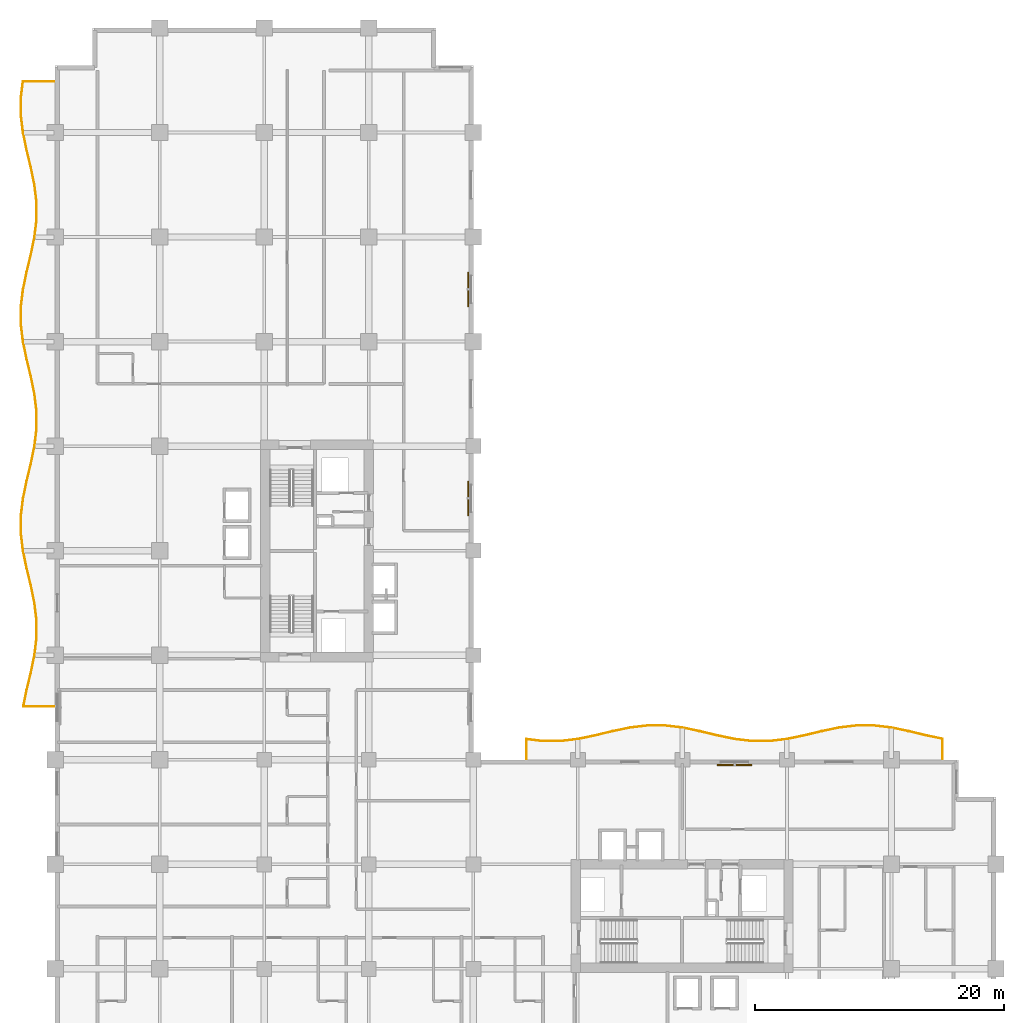
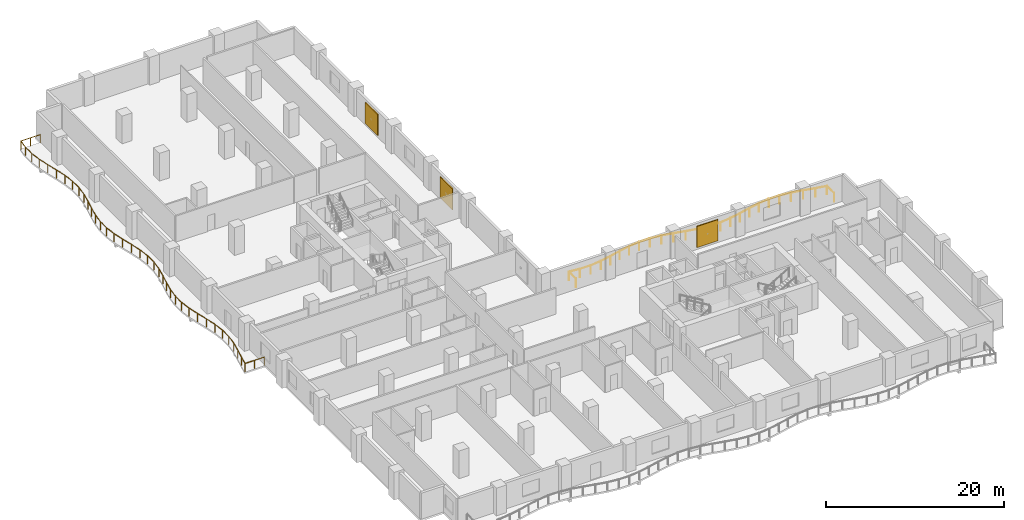
# One storey, part 18 of 18: 3 shading devices, 2 railings.
"""IFC4 building model written with IfcOpenShell, lengths in metres."""

from ifc_helpers import new_model, si_unit, direction, frame, origin, origin_2d, place, context, subcontext, project, spatial, rectangle, circle, extrude, material, layer, layer_set, type_object, element, save


model = new_model("IFC4")

# Units and contexts
model_context = context("Model", 3, precision=1e-05, world=origin(), true_north=direction((0.0, 1.0)))
body_context = subcontext(model_context, "Body", "Model", "MODEL_VIEW")
ifc_project = project(units=[si_unit("LENGTHUNIT", "METRE"), si_unit("AREAUNIT", "SQUARE_METRE"), si_unit("VOLUMEUNIT", "CUBIC_METRE"), si_unit("PLANEANGLEUNIT", "RADIAN"), si_unit("MASSUNIT", "GRAM", prefix="KILO")], contexts=[model_context])

# Site, building, storey
site_placement = place(None, origin())
site = spatial("IfcSite", under=ifc_project, at=site_placement, CompositionType="ELEMENT")
building_placement = place(site_placement, origin())
building = spatial("IfcBuilding", under=site, at=building_placement, Name="Koriwani Terraces Tower", CompositionType="ELEMENT")
storey_placement = place(building_placement, frame((0.0, 0.0, 115.199951171875)))
storey = spatial("IfcBuildingStorey", under=building, at=storey_placement, Name="L27", CompositionType="ELEMENT", Elevation=115.199951171875)

# Railings
ifc_material_1 = material(Name="Steel ASTM A572 Grade 50", Category="steel")
railing_type = type_object("IfcRailingType", Name="GUARD_BALUSTRADE_1150", PredefinedType="BALUSTRADE", material=ifc_material_1)
railing_1_placement = place(storey_placement, frame((-0.080078125, 37.8798828125, 0.0)))
element("IfcRailing", 1, at=railing_1_placement, inside=storey, type_object=railing_type, Name="L27 Balcony Perimeter Safety Balustrade (W)", PredefinedType="BALUSTRADE", context=body_context, shape_type="SweptSolid", body=[
    extrude(circle(Radius=0.02392578125, at=origin_2d()), frame((0.0, 0.0, 1.1259765625), z_axis=(-1.0, 0.0, 0.0), x_axis=(0.0, -1.0, 0.0)), (0.0, 0.0, 1.0), 2.481201171875),
    extrude(circle(Radius=0.02392578125, at=origin_2d()), frame((-2.481201171875, 0.0, 1.1259765625), z_axis=(0.203837026158, 0.979004834905, 0.0), x_axis=(-0.979004834905, 0.203837026158, 0.0)), (0.0, 0.0, 1.0), 1.33056640625),
    extrude(circle(Radius=0.02392578125, at=origin_2d()), frame((-2.2099609375, 1.302734375, 1.1259765625), z_axis=(0.233667958249, 0.972316453264, 0.0), x_axis=(-0.972316453264, 0.233667958249, 0.0)), (0.0, 0.0, 1.0), 1.439697265625),
    extrude(circle(Radius=0.02392578125, at=origin_2d()), frame((-1.87353515625, 2.70263671875, 1.1259765625), z_axis=(0.203539678581, 0.979066698056, 0.0), x_axis=(-0.979066698056, 0.203539678581, 0.0)), (0.0, 0.0, 1.0), 1.4345703125),
    extrude(circle(Radius=0.02392578125, at=origin_2d()), frame((-1.58154296875, 4.107177734375, 1.1259765625), z_axis=(0.119287758056, 0.992859723616, 0.0), x_axis=(-0.992859723616, 0.119287758056, 0.0)), (0.0, 0.0, 1.0), 1.418212890625),
    extrude(circle(Radius=0.02392578125, at=origin_2d()), frame((-1.412353515625, 5.515380859375, 1.1259765625), z_axis=(0.0, 1.0, 0.0), x_axis=(-1.0, 0.0, 0.0)), (0.0, 0.0, 1.0), 1.409423828125),
    extrude(circle(Radius=0.02392578125, at=origin_2d()), frame((-1.412353515625, 6.9248046875, 1.1259765625), z_axis=(-0.119287758056, 0.992859723616, 0.0), x_axis=(-0.992859723616, -0.119287758056, 0.0)), (0.0, 0.0, 1.0), 1.418212890625),
    extrude(circle(Radius=0.02392578125, at=origin_2d()), frame((-1.58154296875, 8.3330078125, 1.1259765625), z_axis=(-0.203539678581, 0.979066698056, 0.0), x_axis=(-0.979066698056, -0.203539678581, 0.0)), (0.0, 0.0, 1.0), 1.4345703125),
    extrude(circle(Radius=0.02392578125, at=origin_2d()), frame((-1.87353515625, 9.737548828125, 1.1259765625), z_axis=(-0.233629438166, 0.972325709638, 0.0), x_axis=(-0.972325709638, -0.233629438166, 0.0)), (0.0, 0.0, 1.0), 1.43994140625),
    extrude(circle(Radius=0.02392578125, at=origin_2d()), frame((-2.2099609375, 11.1376953125, 1.1259765625), z_axis=(-0.20385164167, 0.979001791719, 0.0), x_axis=(-0.979001791719, -0.20385164167, 0.0)), (0.0, 0.0, 1.0), 1.42529296875),
    extrude(circle(Radius=0.02392578125, at=origin_2d()), frame((-2.50048828125, 12.532958984375, 1.1259765625), z_axis=(-0.119296300234, 0.992858697273, 0.0), x_axis=(-0.992858697273, -0.119296300234, 0.0)), (0.0, 0.0, 1.0), 1.40185546875),
    extrude(circle(Radius=0.02392578125, at=origin_2d()), frame((-2.667724609375, 13.9248046875, 1.1259765625), z_axis=(0.0, 1.0, 0.0), x_axis=(-1.0, 0.0, 0.0)), (0.0, 0.0, 1.0), 1.390625),
    extrude(circle(Radius=0.02392578125, at=origin_2d()), frame((-2.667724609375, 15.3154296875, 1.1259765625), z_axis=(0.119296300234, 0.992858697273, 0.0), x_axis=(-0.992858697273, 0.119296300234, 0.0)), (0.0, 0.0, 1.0), 1.40185546875),
    extrude(circle(Radius=0.02392578125, at=origin_2d()), frame((-2.50048828125, 16.707275390625, 1.1259765625), z_axis=(0.20385164167, 0.979001791719, 0.0), x_axis=(-0.979001791719, 0.20385164167, 0.0)), (0.0, 0.0, 1.0), 1.42529296875),
    extrude(circle(Radius=0.02392578125, at=origin_2d()), frame((-2.2099609375, 18.1025390625, 1.1259765625), z_axis=(0.233629438166, 0.972325709638, 0.0), x_axis=(-0.972325709638, 0.233629438166, 0.0)), (0.0, 0.0, 1.0), 1.43994140625),
    extrude(circle(Radius=0.02392578125, at=origin_2d()), frame((-1.87353515625, 19.502685546875, 1.1259765625), z_axis=(0.203539678581, 0.979066698056, 0.0), x_axis=(-0.979066698056, 0.203539678581, 0.0)), (0.0, 0.0, 1.0), 1.4345703125),
    extrude(circle(Radius=0.02392578125, at=origin_2d()), frame((-1.58154296875, 20.9072265625, 1.1259765625), z_axis=(0.119287758056, 0.992859723616, 0.0), x_axis=(-0.992859723616, 0.119287758056, 0.0)), (0.0, 0.0, 1.0), 1.418212890625),
    extrude(circle(Radius=0.02392578125, at=origin_2d()), frame((-1.412353515625, 22.3154296875, 1.1259765625), z_axis=(0.0, 1.0, 0.0), x_axis=(-1.0, 0.0, 0.0)), (0.0, 0.0, 1.0), 1.409423828125),
    extrude(circle(Radius=0.02392578125, at=origin_2d()), frame((-1.412353515625, 23.724853515625, 1.1259765625), z_axis=(-0.119287758056, 0.992859723616, 0.0), x_axis=(-0.992859723616, -0.119287758056, 0.0)), (0.0, 0.0, 1.0), 1.418212890625),
    extrude(circle(Radius=0.02392578125, at=origin_2d()), frame((-1.58154296875, 25.133056640625, 1.1259765625), z_axis=(-0.203539678581, 0.979066698056, 0.0), x_axis=(-0.979066698056, -0.203539678581, 0.0)), (0.0, 0.0, 1.0), 1.4345703125),
    extrude(circle(Radius=0.02392578125, at=origin_2d()), frame((-1.87353515625, 26.53759765625, 1.1259765625), z_axis=(-0.233667958249, 0.972316453264, 0.0), x_axis=(-0.972316453264, -0.233667958249, 0.0)), (0.0, 0.0, 1.0), 1.439697265625),
    extrude(circle(Radius=0.02392578125, at=origin_2d()), frame((-2.2099609375, 27.9375, 1.1259765625), z_axis=(-0.203817459967, 0.979008908546, 0.0), x_axis=(-0.979008908546, -0.203817459967, 0.0)), (0.0, 0.0, 1.0), 1.425537109375),
    extrude(circle(Radius=0.02392578125, at=origin_2d()), frame((-2.50048828125, 29.3330078125, 1.1259765625), z_axis=(-0.119296300234, 0.992858697273, 0.0), x_axis=(-0.992858697273, -0.119296300234, 0.0)), (0.0, 0.0, 1.0), 1.40185546875),
    extrude(circle(Radius=0.02392578125, at=origin_2d()), frame((-2.667724609375, 30.724853515625, 1.1259765625), z_axis=(0.0, 1.0, 0.0), x_axis=(-1.0, 0.0, 0.0)), (0.0, 0.0, 1.0), 1.390380859375),
    extrude(circle(Radius=0.02392578125, at=origin_2d()), frame((-2.667724609375, 32.115234375, 1.1259765625), z_axis=(0.119275676073, 0.992861175138, 0.0), x_axis=(-0.992861175138, 0.119275676073, 0.0)), (0.0, 0.0, 1.0), 1.402099609375),
    extrude(circle(Radius=0.02392578125, at=origin_2d()), frame((-2.50048828125, 33.50732421875, 1.1259765625), z_axis=(0.20385164167, 0.979001791719, 0.0), x_axis=(-0.979001791719, 0.20385164167, 0.0)), (0.0, 0.0, 1.0), 1.42529296875),
    extrude(circle(Radius=0.02392578125, at=origin_2d()), frame((-2.2099609375, 34.902587890625, 1.1259765625), z_axis=(0.233629438166, 0.972325709638, 0.0), x_axis=(-0.972325709638, 0.233629438166, 0.0)), (0.0, 0.0, 1.0), 1.43994140625),
    extrude(circle(Radius=0.02392578125, at=origin_2d()), frame((-1.87353515625, 36.302734375, 1.1259765625), z_axis=(0.203539678581, 0.979066698056, 0.0), x_axis=(-0.979066698056, 0.203539678581, 0.0)), (0.0, 0.0, 1.0), 1.4345703125),
    extrude(circle(Radius=0.02392578125, at=origin_2d()), frame((-1.58154296875, 37.707275390625, 1.1259765625), z_axis=(0.119308148191, 0.992857273618, 0.0), x_axis=(-0.992857273618, 0.119308148191, 0.0)), (0.0, 0.0, 1.0), 1.41796875),
    extrude(circle(Radius=0.02392578125, at=origin_2d()), frame((-1.412353515625, 39.115234375, 1.1259765625), z_axis=(0.0, 1.0, 0.0), x_axis=(-1.0, 0.0, 0.0)), (0.0, 0.0, 1.0), 1.40966796875),
    extrude(circle(Radius=0.02392578125, at=origin_2d()), frame((-1.412353515625, 40.52490234375, 1.1259765625), z_axis=(-0.119287758056, 0.992859723616, 0.0), x_axis=(-0.992859723616, -0.119287758056, 0.0)), (0.0, 0.0, 1.0), 1.418212890625),
    extrude(circle(Radius=0.02392578125, at=origin_2d()), frame((-1.58154296875, 41.93310546875, 1.1259765625), z_axis=(-0.203539678581, 0.979066698056, 0.0), x_axis=(-0.979066698056, -0.203539678581, 0.0)), (0.0, 0.0, 1.0), 1.4345703125),
    extrude(circle(Radius=0.02392578125, at=origin_2d()), frame((-1.87353515625, 43.337646484375, 1.1259765625), z_axis=(-0.233667958249, 0.972316453264, 0.0), x_axis=(-0.972316453264, -0.233667958249, 0.0)), (0.0, 0.0, 1.0), 1.439697265625),
    extrude(circle(Radius=0.02392578125, at=origin_2d()), frame((-2.2099609375, 44.737548828125, 1.1259765625), z_axis=(-0.203817459967, 0.979008908546, 0.0), x_axis=(-0.979008908546, -0.203817459967, 0.0)), (0.0, 0.0, 1.0), 1.425537109375),
    extrude(circle(Radius=0.02392578125, at=origin_2d()), frame((-2.50048828125, 46.133056640625, 1.1259765625), z_axis=(-0.119296300234, 0.992858697273, 0.0), x_axis=(-0.992858697273, -0.119296300234, 0.0)), (0.0, 0.0, 1.0), 1.40185546875),
    extrude(circle(Radius=0.02392578125, at=origin_2d()), frame((-2.667724609375, 47.52490234375, 1.1259765625), z_axis=(0.0, 1.0, 0.0), x_axis=(-1.0, 0.0, 0.0)), (0.0, 0.0, 1.0), 1.390380859375),
    extrude(circle(Radius=0.02392578125, at=origin_2d()), frame((-2.667724609375, 48.915283203125, 1.1259765625), z_axis=(0.119282286421, 0.992860380993, 0.0), x_axis=(-0.992860380993, 0.119282286421, 0.0)), (0.0, 0.0, 1.0), 1.33447265625),
    extrude(circle(Radius=0.02392578125, at=origin_2d()), frame((-2.508544921875, 50.240234375, 1.1259765625), z_axis=(1.0, 0.0, 0.0), x_axis=(0.0, 1.0, 0.0)), (0.0, 0.0, 1.0), 2.508544921875),
    extrude(circle(Radius=0.02099609375, at=origin_2d()), origin(), (0.0, 0.0, 1.0), 1.101806640625),
    extrude(circle(Radius=0.02099609375, at=origin_2d()), frame((-1.24072265625, 0.0, 0.0)), (0.0, 0.0, 1.0), 1.101806640625),
    extrude(circle(Radius=0.02099609375, at=origin_2d()), frame((-2.481201171875, 0.0, 0.0)), (0.0, 0.0, 1.0), 1.101806640625),
    extrude(circle(Radius=0.02099609375, at=origin_2d()), frame((-2.2099609375, 1.302734375, 0.0)), (0.0, 0.0, 1.0), 1.101806640625),
    extrude(circle(Radius=0.02099609375, at=origin_2d()), frame((-1.87353515625, 2.70263671875, 0.0)), (0.0, 0.0, 1.0), 1.101806640625),
    extrude(circle(Radius=0.02099609375, at=origin_2d()), frame((-1.58154296875, 4.107177734375, 0.0)), (0.0, 0.0, 1.0), 1.101806640625),
    extrude(circle(Radius=0.02099609375, at=origin_2d()), frame((-1.412353515625, 5.515380859375, 0.0)), (0.0, 0.0, 1.0), 1.101806640625),
    extrude(circle(Radius=0.02099609375, at=origin_2d()), frame((-1.412353515625, 6.9248046875, 0.0)), (0.0, 0.0, 1.0), 1.101806640625),
    extrude(circle(Radius=0.02099609375, at=origin_2d()), frame((-1.58154296875, 8.3330078125, 0.0)), (0.0, 0.0, 1.0), 1.101806640625),
    extrude(circle(Radius=0.02099609375, at=origin_2d()), frame((-1.87353515625, 9.737548828125, 0.0)), (0.0, 0.0, 1.0), 1.101806640625),
    extrude(circle(Radius=0.02099609375, at=origin_2d()), frame((-2.2099609375, 11.1376953125, 0.0)), (0.0, 0.0, 1.0), 1.101806640625),
    extrude(circle(Radius=0.02099609375, at=origin_2d()), frame((-2.50048828125, 12.532958984375, 0.0)), (0.0, 0.0, 1.0), 1.101806640625),
    extrude(circle(Radius=0.02099609375, at=origin_2d()), frame((-2.667724609375, 13.9248046875, 0.0)), (0.0, 0.0, 1.0), 1.101806640625),
    extrude(circle(Radius=0.02099609375, at=origin_2d()), frame((-2.667724609375, 15.3154296875, 0.0)), (0.0, 0.0, 1.0), 1.101806640625),
    extrude(circle(Radius=0.02099609375, at=origin_2d()), frame((-2.50048828125, 16.707275390625, 0.0)), (0.0, 0.0, 1.0), 1.101806640625),
    extrude(circle(Radius=0.02099609375, at=origin_2d()), frame((-2.2099609375, 18.1025390625, 0.0)), (0.0, 0.0, 1.0), 1.101806640625),
    extrude(circle(Radius=0.02099609375, at=origin_2d()), frame((-1.87353515625, 19.502685546875, 0.0)), (0.0, 0.0, 1.0), 1.101806640625),
    extrude(circle(Radius=0.02099609375, at=origin_2d()), frame((-1.58154296875, 20.9072265625, 0.0)), (0.0, 0.0, 1.0), 1.101806640625),
    extrude(circle(Radius=0.02099609375, at=origin_2d()), frame((-1.412353515625, 22.3154296875, 0.0)), (0.0, 0.0, 1.0), 1.101806640625),
    extrude(circle(Radius=0.02099609375, at=origin_2d()), frame((-1.412353515625, 23.724853515625, 0.0)), (0.0, 0.0, 1.0), 1.101806640625),
    extrude(circle(Radius=0.02099609375, at=origin_2d()), frame((-1.58154296875, 25.133056640625, 0.0)), (0.0, 0.0, 1.0), 1.101806640625),
    extrude(circle(Radius=0.02099609375, at=origin_2d()), frame((-1.87353515625, 26.53759765625, 0.0)), (0.0, 0.0, 1.0), 1.101806640625),
    extrude(circle(Radius=0.02099609375, at=origin_2d()), frame((-2.2099609375, 27.9375, 0.0)), (0.0, 0.0, 1.0), 1.101806640625),
    extrude(circle(Radius=0.02099609375, at=origin_2d()), frame((-2.50048828125, 29.3330078125, 0.0)), (0.0, 0.0, 1.0), 1.101806640625),
    extrude(circle(Radius=0.02099609375, at=origin_2d()), frame((-2.667724609375, 30.724853515625, 0.0)), (0.0, 0.0, 1.0), 1.101806640625),
    extrude(circle(Radius=0.02099609375, at=origin_2d()), frame((-2.667724609375, 32.115234375, 0.0)), (0.0, 0.0, 1.0), 1.101806640625),
    extrude(circle(Radius=0.02099609375, at=origin_2d()), frame((-2.50048828125, 33.50732421875, 0.0)), (0.0, 0.0, 1.0), 1.101806640625),
    extrude(circle(Radius=0.02099609375, at=origin_2d()), frame((-2.2099609375, 34.902587890625, 0.0)), (0.0, 0.0, 1.0), 1.101806640625),
    extrude(circle(Radius=0.02099609375, at=origin_2d()), frame((-1.87353515625, 36.302734375, 0.0)), (0.0, 0.0, 1.0), 1.101806640625),
    extrude(circle(Radius=0.02099609375, at=origin_2d()), frame((-1.58154296875, 37.707275390625, 0.0)), (0.0, 0.0, 1.0), 1.101806640625),
    extrude(circle(Radius=0.02099609375, at=origin_2d()), frame((-1.412353515625, 39.115234375, 0.0)), (0.0, 0.0, 1.0), 1.101806640625),
    extrude(circle(Radius=0.02099609375, at=origin_2d()), frame((-1.412353515625, 40.52490234375, 0.0)), (0.0, 0.0, 1.0), 1.101806640625),
    extrude(circle(Radius=0.02099609375, at=origin_2d()), frame((-1.58154296875, 41.93310546875, 0.0)), (0.0, 0.0, 1.0), 1.101806640625),
    extrude(circle(Radius=0.02099609375, at=origin_2d()), frame((-1.87353515625, 43.337646484375, 0.0)), (0.0, 0.0, 1.0), 1.101806640625),
    extrude(circle(Radius=0.02099609375, at=origin_2d()), frame((-2.2099609375, 44.737548828125, 0.0)), (0.0, 0.0, 1.0), 1.101806640625),
    extrude(circle(Radius=0.02099609375, at=origin_2d()), frame((-2.50048828125, 46.133056640625, 0.0)), (0.0, 0.0, 1.0), 1.101806640625),
    extrude(circle(Radius=0.02099609375, at=origin_2d()), frame((-2.667724609375, 47.52490234375, 0.0)), (0.0, 0.0, 1.0), 1.101806640625),
    extrude(circle(Radius=0.02099609375, at=origin_2d()), frame((-2.667724609375, 48.915283203125, 0.0)), (0.0, 0.0, 1.0), 1.101806640625),
    extrude(circle(Radius=0.02099609375, at=origin_2d()), frame((-2.508544921875, 50.240234375, 0.0)), (0.0, 0.0, 1.0), 1.101806640625),
    extrude(circle(Radius=0.02099609375, at=origin_2d()), frame((-1.25439453125, 50.240234375, 0.0)), (0.0, 0.0, 1.0), 1.101806640625),
    extrude(circle(Radius=0.02099609375, at=origin_2d()), frame((0.0, 50.240234375, 0.0)), (0.0, 0.0, 1.0), 1.101806640625),
])
railing_2_placement = place(storey_placement, frame((71.320068359375, 33.679931640625, 0.0)))
element("IfcRailing", 2, at=railing_2_placement, inside=storey, type_object=railing_type, Name="L27 Balcony Perimeter Safety Balustrade (NE)", PredefinedType="BALUSTRADE", context=body_context, shape_type="SweptSolid", body=[
    extrude(circle(Radius=0.02392578125, at=origin_2d()), frame((0.0, 0.0, 1.1259765625), z_axis=(0.0, 1.0, 0.0), x_axis=(-1.0, 0.0, 0.0)), (0.0, 0.0, 1.0), 1.595458984375),
    extrude(circle(Radius=0.02392578125, at=origin_2d()), frame((0.0, 1.595458984375, 1.1259765625), z_axis=(-0.979032418543, 0.203704500299, 0.0), x_axis=(-0.203704500299, -0.979032418543, 0.0)), (0.0, 0.0, 1.0), 1.3662109375),
    extrude(circle(Radius=0.02392578125, at=origin_2d()), frame((-1.337646484375, 1.873779296875, 1.1259765625), z_axis=(-0.972316453264, 0.233667958249, 0.0), x_axis=(-0.233667958249, -0.972316453264, 0.0)), (0.0, 0.0, 1.0), 1.439697265625),
    extrude(circle(Radius=0.02392578125, at=origin_2d()), frame((-2.737548828125, 2.210205078125, 1.1259765625), z_axis=(-0.979008908546, 0.203817459967, 0.0), x_axis=(-0.203817459967, -0.979008908546, 0.0)), (0.0, 0.0, 1.0), 1.425537109375),
    extrude(circle(Radius=0.02392578125, at=origin_2d()), frame((-4.133056640625, 2.500732421875, 1.1259765625), z_axis=(-0.992858697273, 0.119296300234, 0.0), x_axis=(-0.119296300234, -0.992858697273, 0.0)), (0.0, 0.0, 1.0), 1.40185546875),
    extrude(circle(Radius=0.02392578125, at=origin_2d()), frame((-5.52490234375, 2.66796875, 1.1259765625), z_axis=(-1.0, 0.0, 0.0), x_axis=(0.0, -1.0, 0.0)), (0.0, 0.0, 1.0), 1.390380859375),
    extrude(circle(Radius=0.02392578125, at=origin_2d()), frame((-6.915283203125, 2.66796875, 1.1259765625), z_axis=(-0.992858697273, -0.119296300234, 0.0), x_axis=(0.119296300234, -0.992858697273, 0.0)), (0.0, 0.0, 1.0), 1.40185546875),
    extrude(circle(Radius=0.02392578125, at=origin_2d()), frame((-8.30712890625, 2.500732421875, 1.1259765625), z_axis=(-0.979008908546, -0.203817459967, 0.0), x_axis=(0.203817459967, -0.979008908546, 0.0)), (0.0, 0.0, 1.0), 1.425537109375),
    extrude(circle(Radius=0.02392578125, at=origin_2d()), frame((-9.70263671875, 2.210205078125, 1.1259765625), z_axis=(-0.972316453264, -0.233667958249, 0.0), x_axis=(0.233667958249, -0.972316453264, 0.0)), (0.0, 0.0, 1.0), 1.439697265625),
    extrude(circle(Radius=0.02392578125, at=origin_2d()), frame((-11.1025390625, 1.873779296875, 1.1259765625), z_axis=(-0.979032771622, -0.203702803343, 0.0), x_axis=(0.203702803343, -0.979032771622, 0.0)), (0.0, 0.0, 1.0), 1.4345703125),
    extrude(circle(Radius=0.02392578125, at=origin_2d()), frame((-12.507080078125, 1.58154296875, 1.1259765625), z_axis=(-0.992859723616, -0.119287758056, 0.0), x_axis=(0.119287758056, -0.992859723616, 0.0)), (0.0, 0.0, 1.0), 1.418212890625),
    extrude(circle(Radius=0.02392578125, at=origin_2d()), frame((-13.915283203125, 1.412353515625, 1.1259765625), z_axis=(-1.0, 0.0, 0.0), x_axis=(0.0, -1.0, 0.0)), (0.0, 0.0, 1.0), 1.40966796875),
    extrude(circle(Radius=0.02392578125, at=origin_2d()), frame((-15.324951171875, 1.412353515625, 1.1259765625), z_axis=(-0.992857273618, 0.119308148191, 0.0), x_axis=(-0.119308148191, -0.992857273618, 0.0)), (0.0, 0.0, 1.0), 1.41796875),
    extrude(circle(Radius=0.02392578125, at=origin_2d()), frame((-16.73291015625, 1.58154296875, 1.1259765625), z_axis=(-0.979032771622, 0.203702803343, 0.0), x_axis=(-0.203702803343, -0.979032771622, 0.0)), (0.0, 0.0, 1.0), 1.4345703125),
    extrude(circle(Radius=0.02392578125, at=origin_2d()), frame((-18.137451171875, 1.873779296875, 1.1259765625), z_axis=(-0.972325709638, 0.233629438166, 0.0), x_axis=(-0.233629438166, -0.972325709638, 0.0)), (0.0, 0.0, 1.0), 1.43994140625),
    extrude(circle(Radius=0.02392578125, at=origin_2d()), frame((-19.53759765625, 2.210205078125, 1.1259765625), z_axis=(-0.979001791719, 0.20385164167, 0.0), x_axis=(-0.20385164167, -0.979001791719, 0.0)), (0.0, 0.0, 1.0), 1.42529296875),
    extrude(circle(Radius=0.02392578125, at=origin_2d()), frame((-20.932861328125, 2.500732421875, 1.1259765625), z_axis=(-0.992861175138, 0.119275676073, 0.0), x_axis=(-0.119275676073, -0.992861175138, 0.0)), (0.0, 0.0, 1.0), 1.402099609375),
    extrude(circle(Radius=0.02392578125, at=origin_2d()), frame((-22.324951171875, 2.66796875, 1.1259765625), z_axis=(-1.0, 0.0, 0.0), x_axis=(0.0, -1.0, 0.0)), (0.0, 0.0, 1.0), 1.390380859375),
    extrude(circle(Radius=0.02392578125, at=origin_2d()), frame((-23.71533203125, 2.66796875, 1.1259765625), z_axis=(-0.992858697273, -0.119296300234, 0.0), x_axis=(0.119296300234, -0.992858697273, 0.0)), (0.0, 0.0, 1.0), 1.40185546875),
    extrude(circle(Radius=0.02392578125, at=origin_2d()), frame((-25.107177734375, 2.500732421875, 1.1259765625), z_axis=(-0.979008908546, -0.203817459967, 0.0), x_axis=(0.203817459967, -0.979008908546, 0.0)), (0.0, 0.0, 1.0), 1.425537109375),
    extrude(circle(Radius=0.02392578125, at=origin_2d()), frame((-26.502685546875, 2.210205078125, 1.1259765625), z_axis=(-0.972316453264, -0.233667958249, 0.0), x_axis=(0.233667958249, -0.972316453264, 0.0)), (0.0, 0.0, 1.0), 1.439697265625),
    extrude(circle(Radius=0.02392578125, at=origin_2d()), frame((-27.902587890625, 1.873779296875, 1.1259765625), z_axis=(-0.979032771622, -0.203702803343, 0.0), x_axis=(0.203702803343, -0.979032771622, 0.0)), (0.0, 0.0, 1.0), 1.4345703125),
    extrude(circle(Radius=0.02392578125, at=origin_2d()), frame((-29.30712890625, 1.58154296875, 1.1259765625), z_axis=(-0.992859723616, -0.119287758056, 0.0), x_axis=(0.119287758056, -0.992859723616, 0.0)), (0.0, 0.0, 1.0), 1.418212890625),
    extrude(circle(Radius=0.02392578125, at=origin_2d()), frame((-30.71533203125, 1.412353515625, 1.1259765625), z_axis=(-1.0, 0.0, 0.0), x_axis=(0.0, -1.0, 0.0)), (0.0, 0.0, 1.0), 1.409423828125),
    extrude(circle(Radius=0.02392578125, at=origin_2d()), frame((-32.124755859375, 1.412353515625, 1.1259765625), z_axis=(-0.992867243731, 0.11922514972, 0.0), x_axis=(-0.11922514972, -0.992867243731, 0.0)), (0.0, 0.0, 1.0), 1.324951171875),
    extrude(circle(Radius=0.02392578125, at=origin_2d()), frame((-33.440185546875, 1.5703125, 1.1259765625), z_axis=(0.0, -1.0, 0.0), x_axis=(1.0, 0.0, 0.0)), (0.0, 0.0, 1.0), 1.5703125),
    extrude(circle(Radius=0.02099609375, at=origin_2d()), origin(), (0.0, 0.0, 1.0), 1.101806640625),
    extrude(circle(Radius=0.02099609375, at=origin_2d()), frame((0.0, 1.595458984375, 0.0)), (0.0, 0.0, 1.0), 1.101806640625),
    extrude(circle(Radius=0.02099609375, at=origin_2d()), frame((-1.337646484375, 1.873779296875, 0.0)), (0.0, 0.0, 1.0), 1.101806640625),
    extrude(circle(Radius=0.02099609375, at=origin_2d()), frame((-2.737548828125, 2.210205078125, 0.0)), (0.0, 0.0, 1.0), 1.101806640625),
    extrude(circle(Radius=0.02099609375, at=origin_2d()), frame((-4.133056640625, 2.500732421875, 0.0)), (0.0, 0.0, 1.0), 1.101806640625),
    extrude(circle(Radius=0.02099609375, at=origin_2d()), frame((-5.52490234375, 2.66796875, 0.0)), (0.0, 0.0, 1.0), 1.101806640625),
    extrude(circle(Radius=0.02099609375, at=origin_2d()), frame((-6.915283203125, 2.66796875, 0.0)), (0.0, 0.0, 1.0), 1.101806640625),
    extrude(circle(Radius=0.02099609375, at=origin_2d()), frame((-8.30712890625, 2.500732421875, 0.0)), (0.0, 0.0, 1.0), 1.101806640625),
    extrude(circle(Radius=0.02099609375, at=origin_2d()), frame((-9.70263671875, 2.210205078125, 0.0)), (0.0, 0.0, 1.0), 1.101806640625),
    extrude(circle(Radius=0.02099609375, at=origin_2d()), frame((-11.1025390625, 1.873779296875, 0.0)), (0.0, 0.0, 1.0), 1.101806640625),
    extrude(circle(Radius=0.02099609375, at=origin_2d()), frame((-12.507080078125, 1.58154296875, 0.0)), (0.0, 0.0, 1.0), 1.101806640625),
    extrude(circle(Radius=0.02099609375, at=origin_2d()), frame((-13.915283203125, 1.412353515625, 0.0)), (0.0, 0.0, 1.0), 1.101806640625),
    extrude(circle(Radius=0.02099609375, at=origin_2d()), frame((-15.324951171875, 1.412353515625, 0.0)), (0.0, 0.0, 1.0), 1.101806640625),
    extrude(circle(Radius=0.02099609375, at=origin_2d()), frame((-16.73291015625, 1.58154296875, 0.0)), (0.0, 0.0, 1.0), 1.101806640625),
    extrude(circle(Radius=0.02099609375, at=origin_2d()), frame((-18.137451171875, 1.873779296875, 0.0)), (0.0, 0.0, 1.0), 1.101806640625),
    extrude(circle(Radius=0.02099609375, at=origin_2d()), frame((-19.53759765625, 2.210205078125, 0.0)), (0.0, 0.0, 1.0), 1.101806640625),
    extrude(circle(Radius=0.02099609375, at=origin_2d()), frame((-20.932861328125, 2.500732421875, 0.0)), (0.0, 0.0, 1.0), 1.101806640625),
    extrude(circle(Radius=0.02099609375, at=origin_2d()), frame((-22.324951171875, 2.66796875, 0.0)), (0.0, 0.0, 1.0), 1.101806640625),
    extrude(circle(Radius=0.02099609375, at=origin_2d()), frame((-23.71533203125, 2.66796875, 0.0)), (0.0, 0.0, 1.0), 1.101806640625),
    extrude(circle(Radius=0.02099609375, at=origin_2d()), frame((-25.107177734375, 2.500732421875, 0.0)), (0.0, 0.0, 1.0), 1.101806640625),
    extrude(circle(Radius=0.02099609375, at=origin_2d()), frame((-26.502685546875, 2.210205078125, 0.0)), (0.0, 0.0, 1.0), 1.101806640625),
    extrude(circle(Radius=0.02099609375, at=origin_2d()), frame((-27.902587890625, 1.873779296875, 0.0)), (0.0, 0.0, 1.0), 1.101806640625),
    extrude(circle(Radius=0.02099609375, at=origin_2d()), frame((-29.30712890625, 1.58154296875, 0.0)), (0.0, 0.0, 1.0), 1.101806640625),
    extrude(circle(Radius=0.02099609375, at=origin_2d()), frame((-30.71533203125, 1.412353515625, 0.0)), (0.0, 0.0, 1.0), 1.101806640625),
    extrude(circle(Radius=0.02099609375, at=origin_2d()), frame((-32.124755859375, 1.412353515625, 0.0)), (0.0, 0.0, 1.0), 1.101806640625),
    extrude(circle(Radius=0.02099609375, at=origin_2d()), frame((-33.440185546875, 1.5703125, 0.0)), (0.0, 0.0, 1.0), 1.101806640625),
    extrude(circle(Radius=0.02099609375, at=origin_2d()), frame((-33.440185546875, 0.0, 0.0)), (0.0, 0.0, 1.0), 1.101806640625),
])

# Shading devices
ifc_material_2 = material(Name="Extruded Terracotta Clay", Category="masonry")
ifc_layer = layer(ifc_material_2, 0.1201171875, Name="Extruded Terracotta Clay")
ifc_layer_set = layer_set([ifc_layer], Name="Extruded Terracotta Clay")
shading_device_type = type_object("IfcShadingDeviceType", Name="TERRACOTTA_BAGUETTE_SCREEN_2800", PredefinedType="USERDEFINED", material=ifc_layer_set)
for number, where, z_axis, x_axis, name in (
    (3, (33.195068359375, 54.60009765625, 0.3251953125), (0.0, 0.0, 1.0), (0.0, -1.0, 0.0), "L27 Extruded Terracotta Baguette Screen (NW_IN-8)"),
    (4, (33.195068359375, 71.39990234375, 0.3251953125), (0.0, 0.0, 1.0), (0.0, -1.0, 0.0), "L27 Extruded Terracotta Baguette Screen (NW_IN-14)"),
    (5, (54.60009765625, 33.195068359375, 0.3251953125), (0.0, 0.0, 1.0), (1.0, 0.0, 0.0), "L27 Extruded Terracotta Baguette Screen (NE-8)"),
):
    element("IfcShadingDevice", number, at=place(storey_placement, frame(where, z_axis=z_axis, x_axis=x_axis)), inside=storey, type_object=shading_device_type, Name=name, ObjectType="BAGUETTE", PredefinedType="USERDEFINED", context=body_context, shape_type="SweptSolid", body=[
        extrude(rectangle(XDim=2.760009765625, YDim=0.1201171875, at=origin_2d()), origin(), (0.0, 0.0, 1.0), 2.89990234375),
    ])

save(model, "model.ifc")
